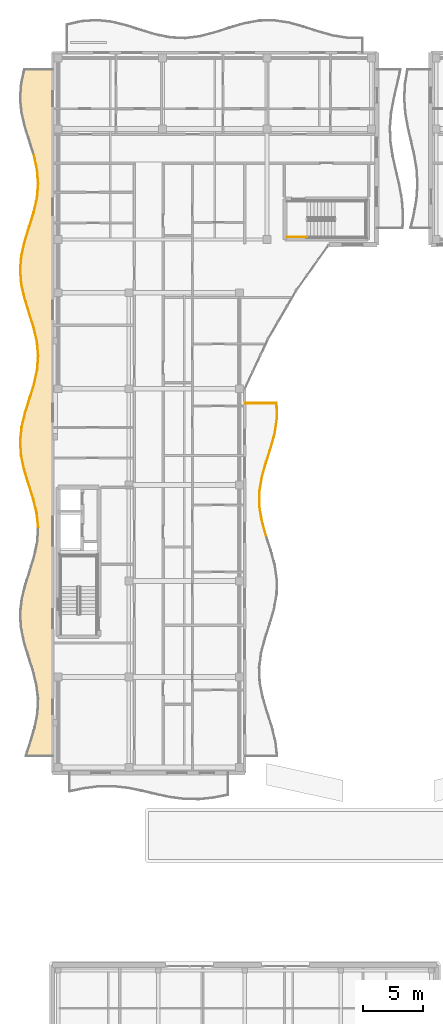
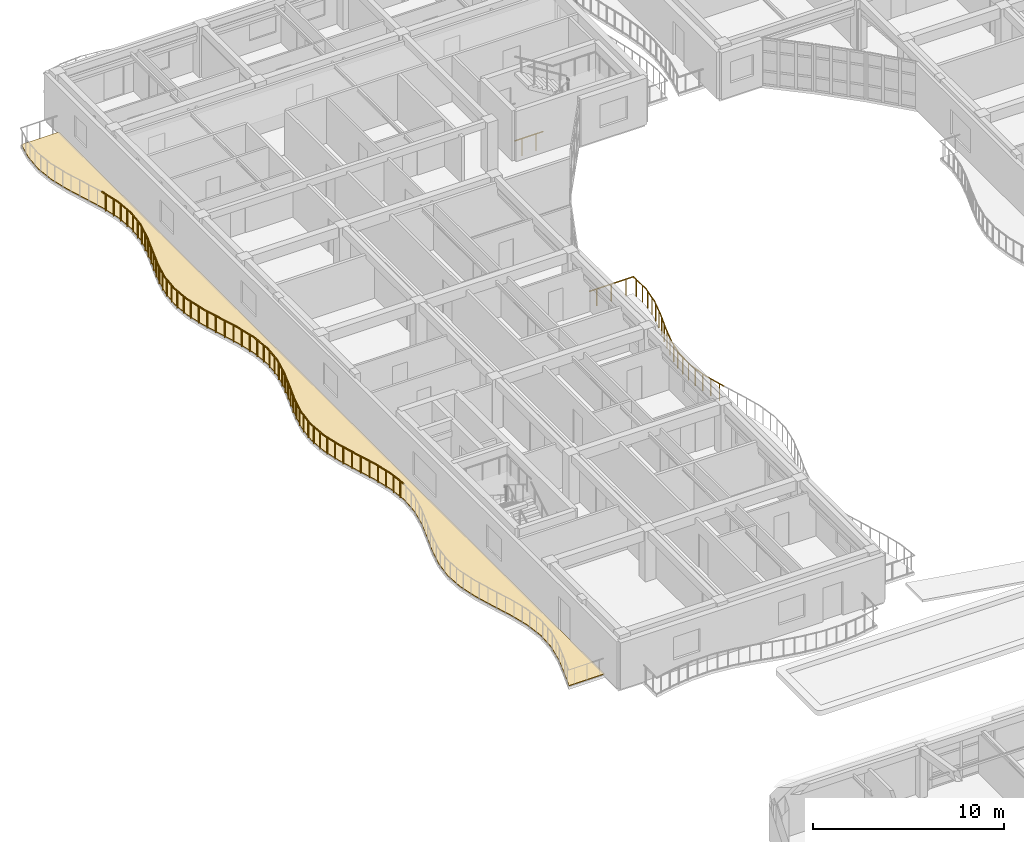
# One storey, part 112 of 128: 37 railings, 1 covering.
"""IFC4 building model written with IfcOpenShell, lengths in metres."""

from ifc_helpers import new_model, si_unit, direction, frame, origin, origin_2d, place, context, subcontext, project, spatial, polyline, circle, outline, extrude, material, layer, layer_set, type_object, element, save


model = new_model("IFC4")

# Units and contexts
model_context = context("Model", 3, precision=1e-05, world=origin(), true_north=direction((0.0, 1.0)))
body_context = subcontext(model_context, "Body", "Model", "MODEL_VIEW")
ifc_project = project(units=[si_unit("LENGTHUNIT", "METRE"), si_unit("AREAUNIT", "SQUARE_METRE"), si_unit("VOLUMEUNIT", "CUBIC_METRE"), si_unit("PLANEANGLEUNIT", "RADIAN"), si_unit("MASSUNIT", "GRAM", prefix="KILO")], contexts=[model_context])

# Site, building, storey
site_placement = place(None, origin())
site = spatial("IfcSite", under=ifc_project, at=site_placement, CompositionType="ELEMENT")
building_placement = place(site_placement, origin())
building = spatial("IfcBuilding", under=site, at=building_placement, Name="Keldmere Railside Commons", CompositionType="ELEMENT")
storey_placement = place(building_placement, frame((0.0, 0.0, 4.159912109375)))
storey = spatial("IfcBuildingStorey", under=building, at=storey_placement, Name="L01", CompositionType="ELEMENT", Elevation=4.159912109375)

# Railings
ifc_material_1 = material(Name="Steel F-24 (S235)", Category="steel")
railing_type_1 = type_object("IfcRailingType", Name="Balcony & Terrace Steel Balustrade 1100", PredefinedType="BALUSTRADE", material=ifc_material_1)
railing_1_placement = place(storey_placement, frame((25.769775390625, 75.77490234375, 0.0)))
element("IfcRailing", 1, at=railing_1_placement, inside=storey, type_object=railing_type_1, Name="GR-1 GRD-L01-0045", PredefinedType="BALUSTRADE", context=body_context, shape_type="SweptSolid", body=[
    extrude(circle(Radius=0.02392578125, at=origin_2d()), frame((0.0, 0.0, 1.076171875), z_axis=(-0.271578602612, 0.962416262645, 0.0), x_axis=(-0.962416262645, -0.271578602612, 0.0)), (0.0, 0.0, 1.0), 1.27294921875),
    extrude(circle(Radius=0.02099609375, at=origin_2d()), frame((-0.08642578125, 0.30615234375, 0.0)), (0.0, 0.0, 1.0), 1.048095703125),
    extrude(circle(Radius=0.02099609375, at=origin_2d()), frame((-0.25927734375, 0.9189453125, 0.0)), (0.0, 0.0, 1.0), 1.048095703125),
])
railing_2_placement = place(storey_placement, frame((25.424072265625, 77.0, 0.0)))
element("IfcRailing", 2, at=railing_2_placement, inside=storey, type_object=railing_type_1, Name="GR-1 GRD-L01-0046", PredefinedType="BALUSTRADE", context=body_context, shape_type="SweptSolid", body=[
    extrude(circle(Radius=0.02392578125, at=origin_2d()), frame((0.0, 0.0, 1.076171875), z_axis=(-0.160314619942, 0.987065966708, 0.0), x_axis=(-0.987065966708, -0.160314619942, 0.0)), (0.0, 0.0, 1.0), 1.2412109375),
    extrude(circle(Radius=0.02099609375, at=origin_2d()), frame((-0.0498046875, 0.30615234375, 0.0)), (0.0, 0.0, 1.0), 1.048095703125),
    extrude(circle(Radius=0.02099609375, at=origin_2d()), frame((-0.149169921875, 0.9189453125, 0.0)), (0.0, 0.0, 1.0), 1.048095703125),
])
railing_3_placement = place(storey_placement, frame((25.22509765625, 78.22509765625, 0.0)))
element("IfcRailing", 3, at=railing_3_placement, inside=storey, type_object=railing_type_1, Name="GR-1 GRD-L01-0047", PredefinedType="BALUSTRADE", context=body_context, shape_type="SweptSolid", body=[
    extrude(circle(Radius=0.02392578125, at=origin_2d()), frame((0.0, 0.0, 1.076171875), z_axis=(0.002591181255, 0.999996642884, 0.0), x_axis=(-0.999996642884, 0.002591181255, 0.0)), (0.0, 0.0, 1.0), 1.224853515625),
    extrude(circle(Radius=0.02099609375, at=origin_2d()), frame((0.000732421875, 0.30615234375, 0.0)), (0.0, 0.0, 1.0), 1.048095703125),
    extrude(circle(Radius=0.02099609375, at=origin_2d()), frame((0.00244140625, 0.918701171875, 0.0)), (0.0, 0.0, 1.0), 1.048095703125),
])
railing_4_placement = place(storey_placement, frame((25.228271484375, 79.449951171875, 0.0)))
element("IfcRailing", 4, at=railing_4_placement, inside=storey, type_object=railing_type_1, Name="GR-1 GRD-L01-0048", PredefinedType="BALUSTRADE", context=body_context, shape_type="SweptSolid", body=[
    extrude(circle(Radius=0.02392578125, at=origin_2d()), frame((0.0, 0.0, 1.076171875), z_axis=(0.16471772553, 0.986340747864, 0.0), x_axis=(-0.986340747864, 0.16471772553, 0.0)), (0.0, 0.0, 1.0), 1.241943359375),
    extrude(circle(Radius=0.02099609375, at=origin_2d()), frame((0.05126953125, 0.30615234375, 0.0)), (0.0, 0.0, 1.0), 1.048095703125),
    extrude(circle(Radius=0.02099609375, at=origin_2d()), frame((0.1533203125, 0.9189453125, 0.0)), (0.0, 0.0, 1.0), 1.048095703125),
])
railing_5_placement = place(storey_placement, frame((25.432861328125, 80.675048828125, 0.0)))
element("IfcRailing", 5, at=railing_5_placement, inside=storey, type_object=railing_type_1, Name="GR-1 GRD-L01-0049", PredefinedType="BALUSTRADE", context=body_context, shape_type="SweptSolid", body=[
    extrude(circle(Radius=0.02392578125, at=origin_2d()), frame((0.0, 0.0, 1.076171875), z_axis=(0.273936160461, 0.96174787756, 0.0), x_axis=(-0.96174787756, 0.273936160461, 0.0)), (0.0, 0.0, 1.0), 1.273681640625),
    extrude(circle(Radius=0.02099609375, at=origin_2d()), frame((0.087158203125, 0.30615234375, 0.0)), (0.0, 0.0, 1.0), 1.048095703125),
    extrude(circle(Radius=0.02099609375, at=origin_2d()), frame((0.26171875, 0.918701171875, 0.0)), (0.0, 0.0, 1.0), 1.048095703125),
])
railing_6_placement = place(storey_placement, frame((25.78173828125, 81.89990234375, 0.0)))
element("IfcRailing", 6, at=railing_6_placement, inside=storey, type_object=railing_type_1, Name="GR-1 GRD-L01-0050", PredefinedType="BALUSTRADE", context=body_context, shape_type="SweptSolid", body=[
    extrude(circle(Radius=0.02392578125, at=origin_2d()), frame((0.0, 0.0, 1.076171875), z_axis=(0.307396140742, 0.951581637411, 0.0), x_axis=(-0.951581637411, 0.307396140742, 0.0)), (0.0, 0.0, 1.0), 1.287353515625),
    extrude(circle(Radius=0.02099609375, at=origin_2d()), frame((0.098876953125, 0.30615234375, 0.0)), (0.0, 0.0, 1.0), 1.048095703125),
    extrude(circle(Radius=0.02099609375, at=origin_2d()), frame((0.296875, 0.9189453125, 0.0)), (0.0, 0.0, 1.0), 1.048095703125),
])
railing_7_placement = place(storey_placement, frame((26.177490234375, 83.125, 0.0)))
element("IfcRailing", 7, at=railing_7_placement, inside=storey, type_object=railing_type_1, Name="GR-1 GRD-L01-0051", PredefinedType="BALUSTRADE", context=body_context, shape_type="SweptSolid", body=[
    extrude(circle(Radius=0.02392578125, at=origin_2d()), frame((0.0, 0.0, 1.076171875), z_axis=(0.26194551375, 0.965082663727, 0.0), x_axis=(-0.965082663727, 0.26194551375, 0.0)), (0.0, 0.0, 1.0), 1.26953125),
    extrude(circle(Radius=0.02099609375, at=origin_2d()), frame((0.0830078125, 0.30615234375, 0.0)), (0.0, 0.0, 1.0), 1.048095703125),
    extrude(circle(Radius=0.02099609375, at=origin_2d()), frame((0.24951171875, 0.9189453125, 0.0)), (0.0, 0.0, 1.0), 1.048095703125),
])
railing_8_placement = place(storey_placement, frame((26.510009765625, 84.35009765625, 0.0)))
element("IfcRailing", 8, at=railing_8_placement, inside=storey, type_object=railing_type_1, Name="GR-1 GRD-L01-0052", PredefinedType="BALUSTRADE", context=body_context, shape_type="SweptSolid", body=[
    extrude(circle(Radius=0.02392578125, at=origin_2d()), frame((0.0, 0.0, 1.076171875), z_axis=(0.142249947162, 0.989830769643, 0.0), x_axis=(-0.989830769643, 0.142249947162, 0.0)), (0.0, 0.0, 1.0), 1.237548828125),
    extrude(circle(Radius=0.02099609375, at=origin_2d()), frame((0.0439453125, 0.30615234375, 0.0)), (0.0, 0.0, 1.0), 1.048095703125),
    extrude(circle(Radius=0.02099609375, at=origin_2d()), frame((0.132080078125, 0.918701171875, 0.0)), (0.0, 0.0, 1.0), 1.048095703125),
])
railing_9_placement = place(storey_placement, frame((26.68603515625, 85.574951171875, 0.0)))
element("IfcRailing", 9, at=railing_9_placement, inside=storey, type_object=railing_type_1, Name="GR-1 GRD-L01-0053", PredefinedType="BALUSTRADE", context=body_context, shape_type="SweptSolid", body=[
    extrude(circle(Radius=0.02392578125, at=origin_2d()), frame((0.0, 0.0, 1.076171875), z_axis=(-0.023907074971, 0.999714185038, 0.0), x_axis=(-0.999714185038, -0.023907074971, 0.0)), (0.0, 0.0, 1.0), 1.225341796875),
    extrude(circle(Radius=0.02099609375, at=origin_2d()), frame((-0.00732421875, 0.30615234375, 0.0)), (0.0, 0.0, 1.0), 1.048095703125),
    extrude(circle(Radius=0.02099609375, at=origin_2d()), frame((-0.02197265625, 0.9189453125, 0.0)), (0.0, 0.0, 1.0), 1.048095703125),
])
railing_10_placement = place(storey_placement, frame((26.65673828125, 86.800048828125, 0.0)))
element("IfcRailing", 10, at=railing_10_placement, inside=storey, type_object=railing_type_1, Name="GR-1 GRD-L01-0054", PredefinedType="BALUSTRADE", context=body_context, shape_type="SweptSolid", body=[
    extrude(circle(Radius=0.02392578125, at=origin_2d()), frame((0.0, 0.0, 1.076171875), z_axis=(-1.0, 0.0, 0.0), x_axis=(0.0, -1.0, 0.0)), (0.0, 0.0, 1.0), 2.65673828125),
    extrude(circle(Radius=0.02099609375, at=origin_2d()), frame((-0.44287109375, 0.0, 0.0)), (0.0, 0.0, 1.0), 1.048095703125),
    extrude(circle(Radius=0.02099609375, at=origin_2d()), frame((-1.328369140625, 0.0, 0.0)), (0.0, 0.0, 1.0), 1.048095703125),
    extrude(circle(Radius=0.02099609375, at=origin_2d()), frame((-2.2138671875, 0.0, 0.0)), (0.0, 0.0, 1.0), 1.048095703125),
])
railing_11_placement = place(storey_placement, frame((6.798095703125, 76.466796875, 0.0)))
element("IfcRailing", 11, at=railing_11_placement, inside=storey, type_object=railing_type_1, Name="GR-1 GRD-L01-0072", PredefinedType="BALUSTRADE", context=body_context, shape_type="SweptSolid", body=[
    extrude(circle(Radius=0.02392578125, at=origin_2d()), frame((0.0, 0.0, 1.076171875), z_axis=(-0.105554549248, 0.994413514154, 0.0), x_axis=(-0.994413514154, -0.105554549248, 0.0)), (0.0, 0.0, 1.0), 1.197998046875),
    extrude(circle(Radius=0.02099609375, at=origin_2d()), frame((-0.03173828125, 0.2978515625, 0.0)), (0.0, 0.0, 1.0), 1.048095703125),
    extrude(circle(Radius=0.02099609375, at=origin_2d()), frame((-0.0947265625, 0.8935546875, 0.0)), (0.0, 0.0, 1.0), 1.048095703125),
])
railing_12_placement = place(storey_placement, frame((6.671630859375, 77.658203125, 0.0)))
element("IfcRailing", 12, at=railing_12_placement, inside=storey, type_object=railing_type_1, Name="GR-1 GRD-L01-0073", PredefinedType="BALUSTRADE", context=body_context, shape_type="SweptSolid", body=[
    extrude(circle(Radius=0.02392578125, at=origin_2d()), frame((0.0, 0.0, 1.076171875), z_axis=(-0.236818738722, 0.971553850793, 0.0), x_axis=(-0.971553850793, -0.236818738722, 0.0)), (0.0, 0.0, 1.0), 1.226806640625),
    extrude(circle(Radius=0.02099609375, at=origin_2d()), frame((-0.07275390625, 0.2978515625, 0.0)), (0.0, 0.0, 1.0), 1.048095703125),
    extrude(circle(Radius=0.02099609375, at=origin_2d()), frame((-0.2177734375, 0.89404296875, 0.0)), (0.0, 0.0, 1.0), 1.048095703125),
])
railing_13_placement = place(storey_placement, frame((6.381103515625, 78.85009765625, 0.0)))
element("IfcRailing", 13, at=railing_13_placement, inside=storey, type_object=railing_type_1, Name="GR-1 GRD-L01-0074", PredefinedType="BALUSTRADE", context=body_context, shape_type="SweptSolid", body=[
    extrude(circle(Radius=0.02392578125, at=origin_2d()), frame((0.0, 0.0, 1.076171875), z_axis=(-0.30266360236, 0.953097447172, 0.0), x_axis=(-0.953097447172, -0.30266360236, 0.0)), (0.0, 0.0, 1.0), 1.250244140625),
    extrude(circle(Radius=0.02099609375, at=origin_2d()), frame((-0.0947265625, 0.2978515625, 0.0)), (0.0, 0.0, 1.0), 1.048095703125),
    extrude(circle(Radius=0.02099609375, at=origin_2d()), frame((-0.28369140625, 0.893798828125, 0.0)), (0.0, 0.0, 1.0), 1.048095703125),
])
railing_14_placement = place(storey_placement, frame((6.002685546875, 80.041748046875, 0.0)))
element("IfcRailing", 14, at=railing_14_placement, inside=storey, type_object=railing_type_1, Name="GR-1 GRD-L01-0075", PredefinedType="BALUSTRADE", context=body_context, shape_type="SweptSolid", body=[
    extrude(circle(Radius=0.02392578125, at=origin_2d()), frame((0.0, 0.0, 1.076171875), z_axis=(-0.293218602438, 0.95604542318, 0.0), x_axis=(-0.95604542318, -0.293218602438, 0.0)), (0.0, 0.0, 1.0), 1.246337890625),
    extrude(circle(Radius=0.02099609375, at=origin_2d()), frame((-0.09130859375, 0.2978515625, 0.0)), (0.0, 0.0, 1.0), 1.048095703125),
    extrude(circle(Radius=0.02099609375, at=origin_2d()), frame((-0.274169921875, 0.893798828125, 0.0)), (0.0, 0.0, 1.0), 1.048095703125),
])
railing_15_placement = place(storey_placement, frame((5.63720703125, 81.2333984375, 0.0)))
element("IfcRailing", 15, at=railing_15_placement, inside=storey, type_object=railing_type_1, Name="GR-1 GRD-L01-0076", PredefinedType="BALUSTRADE", context=body_context, shape_type="SweptSolid", body=[
    extrude(circle(Radius=0.02392578125, at=origin_2d()), frame((0.0, 0.0, 1.076171875), z_axis=(-0.210500126116, 0.977593830231, 0.0), x_axis=(-0.977593830231, -0.210500126116, 0.0)), (0.0, 0.0, 1.0), 1.218994140625),
    extrude(circle(Radius=0.02099609375, at=origin_2d()), frame((-0.064208984375, 0.2978515625, 0.0)), (0.0, 0.0, 1.0), 1.048095703125),
    extrude(circle(Radius=0.02099609375, at=origin_2d()), frame((-0.1923828125, 0.893798828125, 0.0)), (0.0, 0.0, 1.0), 1.048095703125),
])
railing_16_placement = place(storey_placement, frame((5.380615234375, 82.425048828125, 0.0)))
element("IfcRailing", 16, at=railing_16_placement, inside=storey, type_object=railing_type_1, Name="GR-1 GRD-L01-0077", PredefinedType="BALUSTRADE", context=body_context, shape_type="SweptSolid", body=[
    extrude(circle(Radius=0.02392578125, at=origin_2d()), frame((0.0, 0.0, 1.076171875), z_axis=(-0.066641119684, 0.997777009741, 0.0), x_axis=(-0.997777009741, -0.066641119684, 0.0)), (0.0, 0.0, 1.0), 1.1943359375),
    extrude(circle(Radius=0.02099609375, at=origin_2d()), frame((-0.02001953125, 0.2978515625, 0.0)), (0.0, 0.0, 1.0), 1.048095703125),
    extrude(circle(Radius=0.02099609375, at=origin_2d()), frame((-0.0595703125, 0.893798828125, 0.0)), (0.0, 0.0, 1.0), 1.048095703125),
])
railing_17_placement = place(storey_placement, frame((5.301025390625, 83.61669921875, 0.0)))
element("IfcRailing", 17, at=railing_17_placement, inside=storey, type_object=railing_type_1, Name="GR-1 GRD-L01-0078", PredefinedType="BALUSTRADE", context=body_context, shape_type="SweptSolid", body=[
    extrude(circle(Radius=0.02392578125, at=origin_2d()), frame((0.0, 0.0, 1.076171875), z_axis=(0.098877953392, 0.99509956805, 0.0), x_axis=(-0.99509956805, 0.098877953392, 0.0)), (0.0, 0.0, 1.0), 1.197509765625),
    extrude(circle(Radius=0.02099609375, at=origin_2d()), frame((0.029541015625, 0.2978515625, 0.0)), (0.0, 0.0, 1.0), 1.048095703125),
    extrude(circle(Radius=0.02099609375, at=origin_2d()), frame((0.0888671875, 0.893798828125, 0.0)), (0.0, 0.0, 1.0), 1.048095703125),
])
railing_18_placement = place(storey_placement, frame((5.41943359375, 84.808349609375, 0.0)))
element("IfcRailing", 18, at=railing_18_placement, inside=storey, type_object=railing_type_1, Name="GR-1 GRD-L01-0079", PredefinedType="BALUSTRADE", context=body_context, shape_type="SweptSolid", body=[
    extrude(circle(Radius=0.02392578125, at=origin_2d()), frame((0.0, 0.0, 1.076171875), z_axis=(0.232536336161, 0.972587709343, 0.0), x_axis=(-0.972587709343, 0.232536336161, 0.0)), (0.0, 0.0, 1.0), 1.225341796875),
    extrude(circle(Radius=0.02099609375, at=origin_2d()), frame((0.0712890625, 0.2978515625, 0.0)), (0.0, 0.0, 1.0), 1.048095703125),
    extrude(circle(Radius=0.02099609375, at=origin_2d()), frame((0.213623046875, 0.893798828125, 0.0)), (0.0, 0.0, 1.0), 1.048095703125),
])
railing_19_placement = place(storey_placement, frame((5.704345703125, 86.0, 0.0)))
element("IfcRailing", 19, at=railing_19_placement, inside=storey, type_object=railing_type_1, Name="GR-1 GRD-L01-0080", PredefinedType="BALUSTRADE", context=body_context, shape_type="SweptSolid", body=[
    extrude(circle(Radius=0.02392578125, at=origin_2d()), frame((0.0, 0.0, 1.076171875), z_axis=(0.301243561948, 0.953547228188, 0.0), x_axis=(-0.953547228188, 0.301243561948, 0.0)), (0.0, 0.0, 1.0), 1.249755859375),
    extrude(circle(Radius=0.02099609375, at=origin_2d()), frame((0.09423828125, 0.2978515625, 0.0)), (0.0, 0.0, 1.0), 1.048095703125),
    extrude(circle(Radius=0.02099609375, at=origin_2d()), frame((0.2822265625, 0.893798828125, 0.0)), (0.0, 0.0, 1.0), 1.048095703125),
])
railing_20_placement = place(storey_placement, frame((6.080810546875, 87.191650390625, 0.0)))
element("IfcRailing", 20, at=railing_20_placement, inside=storey, type_object=railing_type_1, Name="GR-1 GRD-L01-0081", PredefinedType="BALUSTRADE", context=body_context, shape_type="SweptSolid", body=[
    extrude(circle(Radius=0.02392578125, at=origin_2d()), frame((0.0, 0.0, 1.076171875), z_axis=(0.295364742856, 0.955384565857, 0.0), x_axis=(-0.955384565857, 0.295364742856, 0.0)), (0.0, 0.0, 1.0), 1.247314453125),
    extrude(circle(Radius=0.02099609375, at=origin_2d()), frame((0.092041015625, 0.2978515625, 0.0)), (0.0, 0.0, 1.0), 1.048095703125),
    extrude(circle(Radius=0.02099609375, at=origin_2d()), frame((0.2763671875, 0.893798828125, 0.0)), (0.0, 0.0, 1.0), 1.048095703125),
])
railing_21_placement = place(storey_placement, frame((6.44921875, 88.38330078125, 0.0)))
element("IfcRailing", 21, at=railing_21_placement, inside=storey, type_object=railing_type_1, Name="GR-1 GRD-L01-0082", PredefinedType="BALUSTRADE", context=body_context, shape_type="SweptSolid", body=[
    extrude(circle(Radius=0.02392578125, at=origin_2d()), frame((0.0, 0.0, 1.076171875), z_axis=(0.215277785306, 0.976552853231, 0.0), x_axis=(-0.976552853231, 0.215277785306, 0.0)), (0.0, 0.0, 1.0), 1.22021484375),
    extrude(circle(Radius=0.02099609375, at=origin_2d()), frame((0.065673828125, 0.2978515625, 0.0)), (0.0, 0.0, 1.0), 1.048095703125),
    extrude(circle(Radius=0.02099609375, at=origin_2d()), frame((0.197021484375, 0.893798828125, 0.0)), (0.0, 0.0, 1.0), 1.048095703125),
])
railing_22_placement = place(storey_placement, frame((6.7119140625, 89.574951171875, 0.0)))
element("IfcRailing", 22, at=railing_22_placement, inside=storey, type_object=railing_type_1, Name="GR-1 GRD-L01-0083", PredefinedType="BALUSTRADE", context=body_context, shape_type="SweptSolid", body=[
    extrude(circle(Radius=0.02392578125, at=origin_2d()), frame((0.0, 0.0, 1.076171875), z_axis=(0.073555583458, 0.997291119053, 0.0), x_axis=(-0.997291119053, 0.073555583458, 0.0)), (0.0, 0.0, 1.0), 1.19482421875),
    extrude(circle(Radius=0.02099609375, at=origin_2d()), frame((0.02197265625, 0.2978515625, 0.0)), (0.0, 0.0, 1.0), 1.048095703125),
    extrude(circle(Radius=0.02099609375, at=origin_2d()), frame((0.06591796875, 0.893798828125, 0.0)), (0.0, 0.0, 1.0), 1.048095703125),
])
railing_23_placement = place(storey_placement, frame((6.7998046875, 90.7666015625, 0.0)))
element("IfcRailing", 23, at=railing_23_placement, inside=storey, type_object=railing_type_1, Name="GR-1 GRD-L01-0084", PredefinedType="BALUSTRADE", context=body_context, shape_type="SweptSolid", body=[
    extrude(circle(Radius=0.02392578125, at=origin_2d()), frame((0.0, 0.0, 1.076171875), z_axis=(-0.092411710663, 0.995720882443, 0.0), x_axis=(-0.995720882443, -0.092411710663, 0.0)), (0.0, 0.0, 1.0), 1.19677734375),
    extrude(circle(Radius=0.02099609375, at=origin_2d()), frame((-0.027587890625, 0.2978515625, 0.0)), (0.0, 0.0, 1.0), 1.048095703125),
    extrude(circle(Radius=0.02099609375, at=origin_2d()), frame((-0.0830078125, 0.893798828125, 0.0)), (0.0, 0.0, 1.0), 1.048095703125),
])
railing_24_placement = place(storey_placement, frame((6.689208984375, 91.958251953125, 0.0)))
element("IfcRailing", 24, at=railing_24_placement, inside=storey, type_object=railing_type_1, Name="GR-1 GRD-L01-0085", PredefinedType="BALUSTRADE", context=body_context, shape_type="SweptSolid", body=[
    extrude(circle(Radius=0.02392578125, at=origin_2d()), frame((0.0, 0.0, 1.076171875), z_axis=(-0.228194277223, 0.973615618118, 0.0), x_axis=(-0.973615618118, -0.228194277223, 0.0)), (0.0, 0.0, 1.0), 1.223876953125),
    extrude(circle(Radius=0.02099609375, at=origin_2d()), frame((-0.06982421875, 0.2978515625, 0.0)), (0.0, 0.0, 1.0), 1.048095703125),
    extrude(circle(Radius=0.02099609375, at=origin_2d()), frame((-0.20947265625, 0.893798828125, 0.0)), (0.0, 0.0, 1.0), 1.048095703125),
])
railing_25_placement = place(storey_placement, frame((6.409912109375, 93.14990234375, 0.0)))
element("IfcRailing", 25, at=railing_25_placement, inside=storey, type_object=railing_type_1, Name="GR-1 GRD-L01-0086", PredefinedType="BALUSTRADE", context=body_context, shape_type="SweptSolid", body=[
    extrude(circle(Radius=0.02392578125, at=origin_2d()), frame((0.0, 0.0, 1.076171875), z_axis=(-0.299765619881, 0.954012878916, 0.0), x_axis=(-0.954012878916, -0.299765619881, 0.0)), (0.0, 0.0, 1.0), 1.249267578125),
    extrude(circle(Radius=0.02099609375, at=origin_2d()), frame((-0.09375, 0.2978515625, 0.0)), (0.0, 0.0, 1.0), 1.048095703125),
    extrude(circle(Radius=0.02099609375, at=origin_2d()), frame((-0.28076171875, 0.89404296875, 0.0)), (0.0, 0.0, 1.0), 1.048095703125),
])
railing_26_placement = place(storey_placement, frame((6.035400390625, 94.341796875, 0.0)))
element("IfcRailing", 26, at=railing_26_placement, inside=storey, type_object=railing_type_1, Name="GR-1 GRD-L01-0087", PredefinedType="BALUSTRADE", context=body_context, shape_type="SweptSolid", body=[
    extrude(circle(Radius=0.02392578125, at=origin_2d()), frame((0.0, 0.0, 1.076171875), z_axis=(-0.297026907421, 0.954869109495, 0.0), x_axis=(-0.954869109495, -0.297026907421, 0.0)), (0.0, 0.0, 1.0), 1.247802734375),
    extrude(circle(Radius=0.02099609375, at=origin_2d()), frame((-0.0927734375, 0.2978515625, 0.0)), (0.0, 0.0, 1.0), 1.048095703125),
    extrude(circle(Radius=0.02099609375, at=origin_2d()), frame((-0.27783203125, 0.8935546875, 0.0)), (0.0, 0.0, 1.0), 1.048095703125),
])
railing_27_placement = place(storey_placement, frame((5.664794921875, 95.533203125, 0.0)))
element("IfcRailing", 27, at=railing_27_placement, inside=storey, type_object=railing_type_1, Name="GR-1 GRD-L01-0088", PredefinedType="BALUSTRADE", context=body_context, shape_type="SweptSolid", body=[
    extrude(circle(Radius=0.02392578125, at=origin_2d()), frame((0.0, 0.0, 1.076171875), z_axis=(-0.219997146156, 0.975500515471, 0.0), x_axis=(-0.975500515471, -0.219997146156, 0.0)), (0.0, 0.0, 1.0), 1.221923828125),
    extrude(circle(Radius=0.02099609375, at=origin_2d()), frame((-0.067138671875, 0.2978515625, 0.0)), (0.0, 0.0, 1.0), 1.048095703125),
    extrude(circle(Radius=0.02099609375, at=origin_2d()), frame((-0.20166015625, 0.89404296875, 0.0)), (0.0, 0.0, 1.0), 1.048095703125),
])
railing_28_placement = place(storey_placement, frame((5.39599609375, 96.72509765625, 0.0)))
element("IfcRailing", 28, at=railing_28_placement, inside=storey, type_object=railing_type_1, Name="GR-1 GRD-L01-0089", PredefinedType="BALUSTRADE", context=body_context, shape_type="SweptSolid", body=[
    extrude(circle(Radius=0.02392578125, at=origin_2d()), frame((0.0, 0.0, 1.076171875), z_axis=(-0.080256561379, 0.996774239412, 0.0), x_axis=(-0.996774239412, -0.080256561379, 0.0)), (0.0, 0.0, 1.0), 1.195556640625),
    extrude(circle(Radius=0.02099609375, at=origin_2d()), frame((-0.02392578125, 0.2978515625, 0.0)), (0.0, 0.0, 1.0), 1.048095703125),
    extrude(circle(Radius=0.02099609375, at=origin_2d()), frame((-0.072021484375, 0.893798828125, 0.0)), (0.0, 0.0, 1.0), 1.048095703125),
])
railing_29_placement = place(storey_placement, frame((5.300048828125, 97.916748046875, 0.0)))
element("IfcRailing", 29, at=railing_29_placement, inside=storey, type_object=railing_type_1, Name="GR-1 GRD-L01-0090", PredefinedType="BALUSTRADE", context=body_context, shape_type="SweptSolid", body=[
    extrude(circle(Radius=0.02392578125, at=origin_2d()), frame((0.0, 0.0, 1.076171875), z_axis=(0.085528512206, 0.996335723338, 0.0), x_axis=(-0.996335723338, 0.085528512206, 0.0)), (0.0, 0.0, 1.0), 1.196044921875),
    extrude(circle(Radius=0.02099609375, at=origin_2d()), frame((0.025634765625, 0.2978515625, 0.0)), (0.0, 0.0, 1.0), 1.048095703125),
    extrude(circle(Radius=0.02099609375, at=origin_2d()), frame((0.07666015625, 0.893798828125, 0.0)), (0.0, 0.0, 1.0), 1.048095703125),
])
railing_30_placement = place(storey_placement, frame((5.40234375, 99.1083984375, 0.0)))
element("IfcRailing", 30, at=railing_30_placement, inside=storey, type_object=railing_type_1, Name="GR-1 GRD-L01-0091", PredefinedType="BALUSTRADE", context=body_context, shape_type="SweptSolid", body=[
    extrude(circle(Radius=0.02392578125, at=origin_2d()), frame((0.0, 0.0, 1.076171875), z_axis=(0.223648874048, 0.97466978056, 0.0), x_axis=(-0.97466978056, 0.223648874048, 0.0)), (0.0, 0.0, 1.0), 1.22265625),
    extrude(circle(Radius=0.02099609375, at=origin_2d()), frame((0.068359375, 0.2978515625, 0.0)), (0.0, 0.0, 1.0), 1.048095703125),
    extrude(circle(Radius=0.02099609375, at=origin_2d()), frame((0.205078125, 0.893798828125, 0.0)), (0.0, 0.0, 1.0), 1.048095703125),
])
railing_31_placement = place(storey_placement, frame((5.67578125, 100.300048828125, 0.0)))
element("IfcRailing", 31, at=railing_31_placement, inside=storey, type_object=railing_type_1, Name="GR-1 GRD-L01-0092", PredefinedType="BALUSTRADE", context=body_context, shape_type="SweptSolid", body=[
    extrude(circle(Radius=0.02392578125, at=origin_2d()), frame((0.0, 0.0, 1.076171875), z_axis=(0.298219318991, 0.954497374423, 0.0), x_axis=(-0.954497374423, 0.298219318991, 0.0)), (0.0, 0.0, 1.0), 1.24853515625),
    extrude(circle(Radius=0.02099609375, at=origin_2d()), frame((0.093017578125, 0.2978515625, 0.0)), (0.0, 0.0, 1.0), 1.048095703125),
    extrude(circle(Radius=0.02099609375, at=origin_2d()), frame((0.279296875, 0.893798828125, 0.0)), (0.0, 0.0, 1.0), 1.048095703125),
])
railing_32_placement = place(storey_placement, frame((6.048095703125, 101.49169921875, 0.0)))
element("IfcRailing", 32, at=railing_32_placement, inside=storey, type_object=railing_type_1, Name="GR-1 GRD-L01-0093", PredefinedType="BALUSTRADE", context=body_context, shape_type="SweptSolid", body=[
    extrude(circle(Radius=0.02392578125, at=origin_2d()), frame((0.0, 0.0, 1.076171875), z_axis=(0.298575580904, 0.954385992399, 0.0), x_axis=(-0.954385992399, 0.298575580904, 0.0)), (0.0, 0.0, 1.0), 1.24853515625),
    extrude(circle(Radius=0.02099609375, at=origin_2d()), frame((0.09326171875, 0.2978515625, 0.0)), (0.0, 0.0, 1.0), 1.048095703125),
    extrude(circle(Radius=0.02099609375, at=origin_2d()), frame((0.279541015625, 0.893798828125, 0.0)), (0.0, 0.0, 1.0), 1.048095703125),
])
railing_33_placement = place(storey_placement, frame((6.4208984375, 102.683349609375, 0.0)))
element("IfcRailing", 33, at=railing_33_placement, inside=storey, type_object=railing_type_1, Name="GR-1 GRD-L01-0094", PredefinedType="BALUSTRADE", context=body_context, shape_type="SweptSolid", body=[
    extrude(circle(Radius=0.02392578125, at=origin_2d()), frame((0.0, 0.0, 1.076171875), z_axis=(0.224786606428, 0.974408015962, 0.0), x_axis=(-0.974408015962, 0.224786606428, 0.0)), (0.0, 0.0, 1.0), 1.222900390625),
    extrude(circle(Radius=0.02099609375, at=origin_2d()), frame((0.06884765625, 0.2978515625, 0.0)), (0.0, 0.0, 1.0), 1.048095703125),
    extrude(circle(Radius=0.02099609375, at=origin_2d()), frame((0.2060546875, 0.893798828125, 0.0)), (0.0, 0.0, 1.0), 1.048095703125),
])
railing_34_placement = place(storey_placement, frame((6.69580078125, 103.875, 0.0)))
element("IfcRailing", 34, at=railing_34_placement, inside=storey, type_object=railing_type_1, Name="GR-1 GRD-L01-0095", PredefinedType="BALUSTRADE", context=body_context, shape_type="SweptSolid", body=[
    extrude(circle(Radius=0.02392578125, at=origin_2d()), frame((0.0, 0.0, 1.076171875), z_axis=(0.086946675668, 0.996212966986, 0.0), x_axis=(-0.996212966986, 0.086946675668, 0.0)), (0.0, 0.0, 1.0), 1.1962890625),
    extrude(circle(Radius=0.02099609375, at=origin_2d()), frame((0.02587890625, 0.2978515625, 0.0)), (0.0, 0.0, 1.0), 1.048095703125),
    extrude(circle(Radius=0.02099609375, at=origin_2d()), frame((0.078125, 0.893798828125, 0.0)), (0.0, 0.0, 1.0), 1.048095703125),
])
railing_35_placement = place(storey_placement, frame((6.7998046875, 105.066650390625, 0.0)))
element("IfcRailing", 35, at=railing_35_placement, inside=storey, type_object=railing_type_1, Name="GR-1 GRD-L01-0096", PredefinedType="BALUSTRADE", context=body_context, shape_type="SweptSolid", body=[
    extrude(circle(Radius=0.02392578125, at=origin_2d()), frame((0.0, 0.0, 1.076171875), z_axis=(-0.07863304587, 0.99690362829, 0.0), x_axis=(-0.99690362829, -0.07863304587, 0.0)), (0.0, 0.0, 1.0), 1.1953125),
    extrude(circle(Radius=0.02099609375, at=origin_2d()), frame((-0.0234375, 0.2978515625, 0.0)), (0.0, 0.0, 1.0), 1.048095703125),
    extrude(circle(Radius=0.02099609375, at=origin_2d()), frame((-0.070556640625, 0.893798828125, 0.0)), (0.0, 0.0, 1.0), 1.048095703125),
])
railing_36_placement = place(storey_placement, frame((6.705810546875, 106.25830078125, 0.0)))
element("IfcRailing", 36, at=railing_36_placement, inside=storey, type_object=railing_type_1, Name="GR-1 GRD-L01-0097", PredefinedType="BALUSTRADE", context=body_context, shape_type="SweptSolid", body=[
    extrude(circle(Radius=0.02392578125, at=origin_2d()), frame((0.0, 0.0, 1.076171875), z_axis=(-0.218898515905, 0.97574763117, 0.0), x_axis=(-0.97574763117, -0.218898515905, 0.0)), (0.0, 0.0, 1.0), 1.22119140625),
    extrude(circle(Radius=0.02099609375, at=origin_2d()), frame((-0.06689453125, 0.2978515625, 0.0)), (0.0, 0.0, 1.0), 1.048095703125),
    extrude(circle(Radius=0.02099609375, at=origin_2d()), frame((-0.200439453125, 0.893798828125, 0.0)), (0.0, 0.0, 1.0), 1.048095703125),
])
railing_type_2 = type_object("IfcRailingType", Name="Stair Well Steel Guardrail 1100", PredefinedType="BALUSTRADE", material=ifc_material_1)
railing_37_placement = place(storey_placement, frame((27.5, 100.64990234375, 0.0)))
element("IfcRailing", 37, at=railing_37_placement, inside=storey, type_object=railing_type_2, Name="L01 ST-D2 stair guard 8", PredefinedType="BALUSTRADE", context=body_context, shape_type="SweptSolid", body=[
    extrude(circle(Radius=0.02392578125, at=origin_2d()), frame((0.0, 0.0, 1.076171875), z_axis=(1.0, 0.0, 0.0), x_axis=(0.0, 1.0, 0.0)), (0.0, 0.0, 1.0), 1.699951171875),
    extrude(circle(Radius=0.02099609375, at=origin_2d()), frame((0.425048828125, 0.0, 0.0)), (0.0, 0.0, 1.0), 1.048095703125),
    extrude(circle(Radius=0.02099609375, at=origin_2d()), frame((1.27490234375, 0.0, 0.0)), (0.0, 0.0, 1.0), 1.048095703125),
])

# Covering
ifc_material_2 = material(Name="White Precast Concrete C35/45", Category="concrete")
ifc_layer = layer(ifc_material_2, 0.044921875, Name="White Architectural Balcony Ribbon Cladding 45")
ifc_layer_set = layer_set([ifc_layer], Name="White Precast Concrete C35/45")
covering_type = type_object("IfcCoveringType", Name="White Architectural Balcony Ribbon Cladding 45", PredefinedType="FLOORING", material=ifc_layer_set)
covering_placement = place(storey_placement, origin())
element("IfcCovering", 38, at=covering_placement, inside=storey, type_object=covering_type, Name="CLG-WB D L01 CW White Balcony Ribbon", PredefinedType="FLOORING", context=body_context, shape_type="SweptSolid", body=[
    extrude(outline(polyline([(7.9599609375, 114.56005859375), (5.679931640625, 114.56005859375), (5.426025390625, 113.402587890625), (5.340576171875, 112.217041015625), (5.452392578125, 111.031494140625), (5.73193359375, 109.843994140625), (6.1064453125, 108.65380859375), (6.1064453125, 108.653564453125), (6.4765625, 107.4619140625), (6.477294921875, 107.458740234375), (6.744873046875, 106.26708984375), (6.74560546875, 106.261474609375), (6.83984375, 105.06982421875), (6.83984375, 105.06640625), (6.839599609375, 105.063232421875), (6.735595703125, 103.87158203125), (6.73486328125, 103.865966796875), (6.4599609375, 102.67431640625), (6.459228515625, 102.67138671875), (6.086181640625, 101.479736328125), (5.71435546875, 100.28955078125), (5.44189453125, 99.10205078125), (5.340087890625, 97.91650390625), (5.435546875, 96.73095703125), (5.70361328125, 95.543701171875), (6.07373046875, 94.353515625), (6.4482421875, 93.162109375), (6.448974609375, 93.1591796875), (6.728271484375, 91.96728515625), (6.72900390625, 91.9619140625), (6.839599609375, 90.7705078125), (6.839599609375, 90.76708984375), (6.839599609375, 90.763916015625), (6.751708984375, 89.572021484375), (6.7509765625, 89.56640625), (6.48828125, 88.374755859375), (6.4873046875, 88.37158203125), (6.118896484375, 87.179931640625), (6.118896484375, 87.1796875), (5.742919921875, 85.9892578125), (5.458984375, 84.801513671875), (5.341064453125, 83.6162109375), (5.42041015625, 82.4306640625), (5.67578125, 81.243408203125), (6.041015625, 80.0537109375), (6.419189453125, 78.862060546875), (6.419921875, 78.859619140625), (6.71044921875, 77.667724609375), (6.71142578125, 77.66259765625), (6.837890625, 76.470947265625), (6.837890625, 76.467529296875), (6.837890625, 76.46435546875), (6.7666015625, 75.272705078125), (6.765625, 75.266845703125), (6.515380859375, 74.0751953125), (6.5146484375, 74.071533203125), (6.15185546875, 72.8798828125), (6.151611328125, 72.879638671875), (5.772216796875, 71.689208984375), (5.477294921875, 70.501220703125), (5.343505859375, 69.3154296875), (5.40625, 68.130126953125), (5.649169921875, 66.943115234375), (6.00830078125, 65.753662109375), (6.389404296875, 64.562255859375), (6.39013671875, 64.559814453125), (6.69140625, 63.3681640625), (6.6923828125, 63.363037109375), (6.83447265625, 62.17138671875), (6.834716796875, 62.168212890625), (6.834716796875, 62.164794921875), (6.780029296875, 60.97314453125), (6.77978515625, 60.97021484375), (6.779296875, 60.96728515625), (6.5419921875, 59.775390625), (6.541259765625, 59.771728515625), (6.184326171875, 58.580078125), (6.18408203125, 58.57958984375), (5.818603515625, 57.43994140625), (7.9599609375, 57.43994140625), (7.9599609375, 114.56005859375)])), origin(), (0.0, 0.0, 1.0), 0.045166015625),
])

save(model, "model.ifc")
